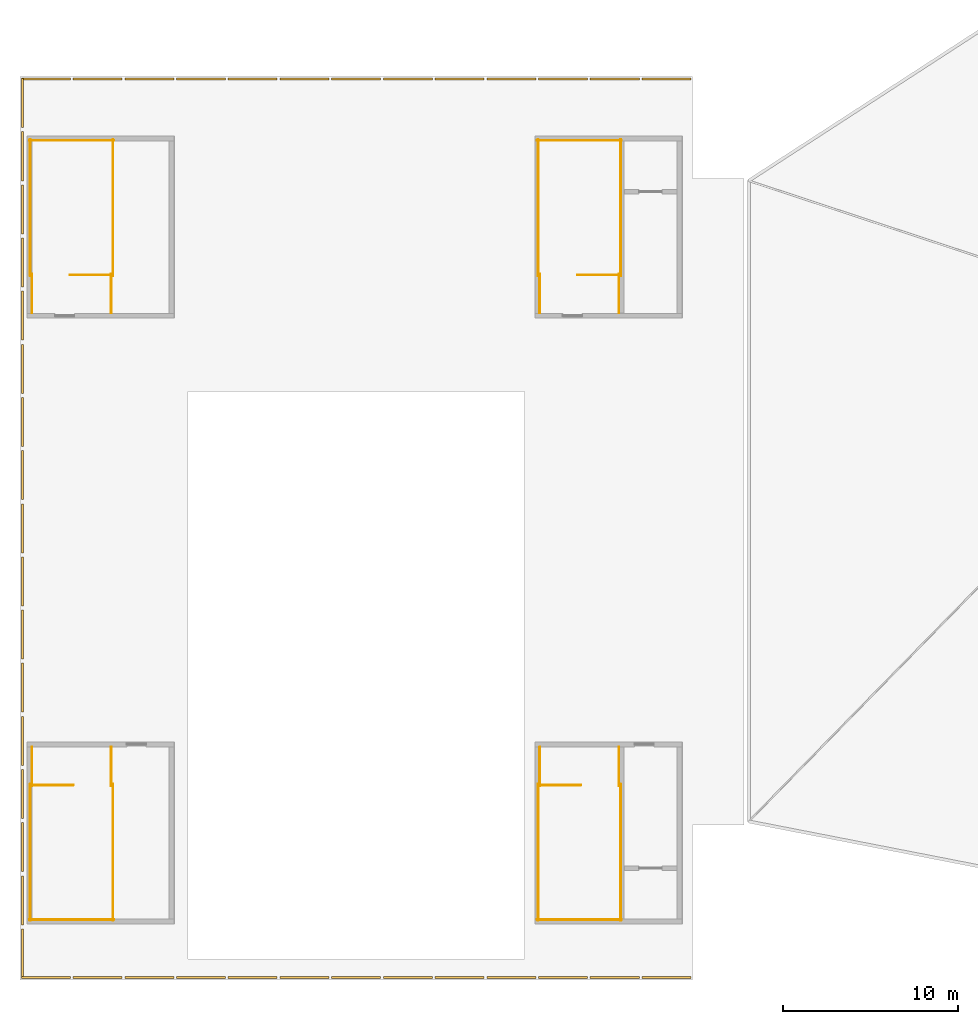
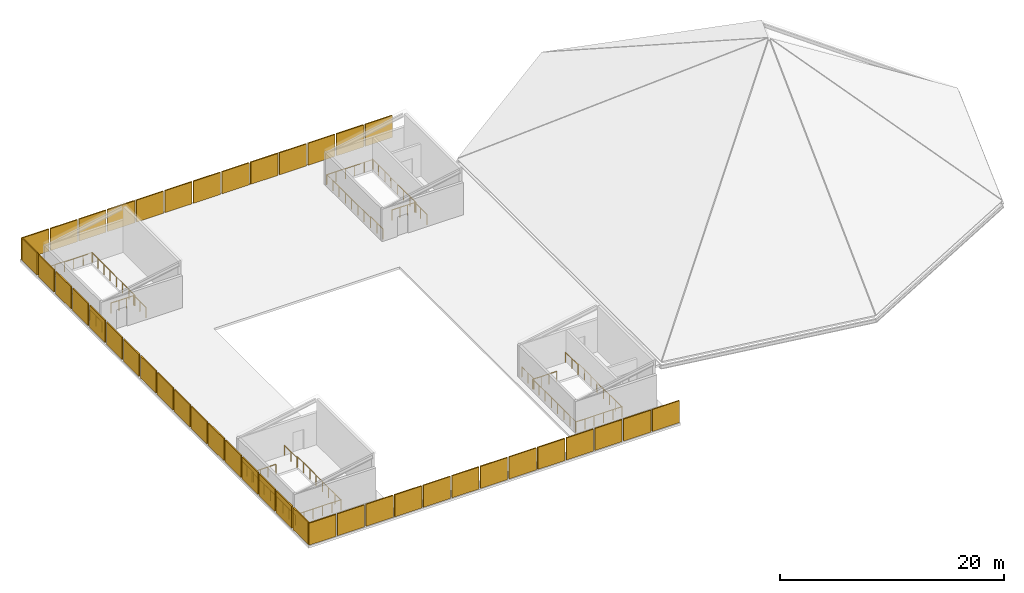
# One storey, part 3 of 3: 43 shading devices, 24 railings.
"""IFC4 building model written with IfcOpenShell, lengths in metres."""

from ifc_helpers import new_model, si_unit, direction, frame, origin, origin_2d, place, context, subcontext, project, spatial, rectangle, circle, extrude, material, layer, layer_set, type_object, element, save


model = new_model("IFC4")

# Units and contexts
model_context = context("Model", 3, precision=1e-05, world=origin(), true_north=direction((0.0, 1.0)))
body_context = subcontext(model_context, "Body", "Model", "MODEL_VIEW")
ifc_project = project(units=[si_unit("LENGTHUNIT", "METRE"), si_unit("AREAUNIT", "SQUARE_METRE"), si_unit("VOLUMEUNIT", "CUBIC_METRE"), si_unit("PLANEANGLEUNIT", "RADIAN"), si_unit("MASSUNIT", "GRAM", prefix="KILO")], contexts=[model_context])

# Site, building, storey
site_placement = place(None, origin())
site = spatial("IfcSite", under=ifc_project, at=site_placement, CompositionType="ELEMENT")
building_placement = place(site_placement, origin())
building = spatial("IfcBuilding", under=site, at=building_placement, Name="Sarnbrook Museum", CompositionType="ELEMENT")
storey_placement = place(building_placement, frame((0.0, 0.0, 32.60009765625)))
storey = spatial("IfcBuildingStorey", under=building, at=storey_placement, Name="ROOF", CompositionType="ELEMENT", Elevation=32.60009765625)

# Railings
ifc_material_1 = material(Name="Brushed Stainless Steel Grade 316", Category="steel")
ifc_layer = layer(ifc_material_1, 0.050048828125)
ifc_layer_set = layer_set([ifc_layer], Name="Brushed Stainless Steel Grade 316")
railing_type = type_object("IfcRailingType", Name="Guard_Int1120", PredefinedType="BALUSTRADE", material=ifc_layer_set)
railing_1_placement = place(storey_placement, frame((110.43994140625, 67.929931640625, 0.0)))
element("IfcRailing", 1, at=railing_1_placement, inside=storey, type_object=railing_type, Name="ROOF ST1 top well guard 1", PredefinedType="BALUSTRADE", context=body_context, shape_type="SweptSolid", body=[
    extrude(circle(Radius=0.02392578125, at=origin_2d()), frame((0.0, 0.0, 1.09619140625), z_axis=(1.0, 0.0, 0.0), x_axis=(0.0, 1.0, 0.0)), (0.0, 0.0, 1.0), 2.400146484375),
    extrude(circle(Radius=0.02099609375, at=origin_2d()), origin(), (0.0, 0.0, 1.0), 1.072021484375),
    extrude(circle(Radius=0.02099609375, at=origin_2d()), frame((0.800048828125, 0.0, 0.0)), (0.0, 0.0, 1.0), 1.072021484375),
    extrude(circle(Radius=0.02099609375, at=origin_2d()), frame((1.60009765625, 0.0, 0.0)), (0.0, 0.0, 1.0), 1.072021484375),
    extrude(circle(Radius=0.02099609375, at=origin_2d()), frame((2.400146484375, 0.0, 0.0)), (0.0, 0.0, 1.0), 1.072021484375),
])
for number, where, name in (
    (2, (110.389892578125, 67.97998046875, 0.0), "ROOF ST1 top well guard 2"),
    (3, (115.110107421875, 67.97998046875, 0.0), "ROOF ST1 top well guard 3"),
):
    element("IfcRailing", number, at=place(storey_placement, frame(where)), inside=storey, type_object=railing_type, Name=name, PredefinedType="BALUSTRADE", context=body_context, shape_type="SweptSolid", body=[
        extrude(circle(Radius=0.02392578125, at=origin_2d()), frame((0.0, 0.0, 1.09619140625), z_axis=(0.0, -1.0, 0.0), x_axis=(1.0, 0.0, 0.0)), (0.0, 0.0, 1.0), 7.780029296875),
        extrude(circle(Radius=0.02099609375, at=origin_2d()), origin(), (0.0, 0.0, 1.0), 1.072021484375),
        extrude(circle(Radius=0.02099609375, at=origin_2d()), frame((0.0, -1.111328125, 0.0)), (0.0, 0.0, 1.0), 1.072021484375),
        extrude(circle(Radius=0.02099609375, at=origin_2d()), frame((0.0, -2.222900390625, 0.0)), (0.0, 0.0, 1.0), 1.072021484375),
        extrude(circle(Radius=0.02099609375, at=origin_2d()), frame((0.0, -3.334228515625, 0.0)), (0.0, 0.0, 1.0), 1.072021484375),
        extrude(circle(Radius=0.02099609375, at=origin_2d()), frame((0.0, -4.44580078125, 0.0)), (0.0, 0.0, 1.0), 1.072021484375),
        extrude(circle(Radius=0.02099609375, at=origin_2d()), frame((0.0, -5.55712890625, 0.0)), (0.0, 0.0, 1.0), 1.072021484375),
        extrude(circle(Radius=0.02099609375, at=origin_2d()), frame((0.0, -6.668701171875, 0.0)), (0.0, 0.0, 1.0), 1.072021484375),
        extrude(circle(Radius=0.02099609375, at=origin_2d()), frame((0.0, -7.780029296875, 0.0)), (0.0, 0.0, 1.0), 1.072021484375),
    ])
railing_2_placement = place(storey_placement, frame((110.340087890625, 60.25, 0.0)))
element("IfcRailing", 4, at=railing_2_placement, inside=storey, type_object=railing_type, Name="ROOF ST1 top well guard 4", PredefinedType="BALUSTRADE", context=body_context, shape_type="SweptSolid", body=[
    extrude(circle(Radius=0.02392578125, at=origin_2d()), frame((0.0, 0.0, 1.09619140625), z_axis=(1.0, 0.0, 0.0), x_axis=(0.0, 1.0, 0.0)), (0.0, 0.0, 1.0), 4.81982421875),
    extrude(circle(Radius=0.02099609375, at=origin_2d()), origin(), (0.0, 0.0, 1.0), 1.072021484375),
    extrude(circle(Radius=0.02099609375, at=origin_2d()), frame((0.9638671875, 0.0, 0.0)), (0.0, 0.0, 1.0), 1.072021484375),
    extrude(circle(Radius=0.02099609375, at=origin_2d()), frame((1.927978515625, 0.0, 0.0)), (0.0, 0.0, 1.0), 1.072021484375),
    extrude(circle(Radius=0.02099609375, at=origin_2d()), frame((2.891845703125, 0.0, 0.0)), (0.0, 0.0, 1.0), 1.072021484375),
    extrude(circle(Radius=0.02099609375, at=origin_2d()), frame((3.85595703125, 0.0, 0.0)), (0.0, 0.0, 1.0), 1.072021484375),
    extrude(circle(Radius=0.02099609375, at=origin_2d()), frame((4.81982421875, 0.0, 0.0)), (0.0, 0.0, 1.0), 1.072021484375),
])
for number, where, name in (
    (5, (110.489990234375, 70.10009765625, 0.0), "ROOF ST1 top well guard 5"),
    (6, (115.010009765625, 70.10009765625, 0.0), "ROOF ST1 top well guard 6"),
):
    element("IfcRailing", number, at=place(storey_placement, frame(where)), inside=storey, type_object=railing_type, Name=name, PredefinedType="BALUSTRADE", context=body_context, shape_type="SweptSolid", body=[
        extrude(circle(Radius=0.02392578125, at=origin_2d()), frame((0.0, 0.0, 1.09619140625), z_axis=(0.0, -1.0, 0.0), x_axis=(1.0, 0.0, 0.0)), (0.0, 0.0, 1.0), 2.22021484375),
        extrude(circle(Radius=0.02099609375, at=origin_2d()), origin(), (0.0, 0.0, 1.0), 1.072021484375),
        extrude(circle(Radius=0.02099609375, at=origin_2d()), frame((0.0, -1.110107421875, 0.0)), (0.0, 0.0, 1.0), 1.072021484375),
        extrude(circle(Radius=0.02099609375, at=origin_2d()), frame((0.0, -2.22021484375, 0.0)), (0.0, 0.0, 1.0), 1.072021484375),
    ])
railing_3_placement = place(storey_placement, frame((115.06005859375, 97.070068359375, 0.0)))
element("IfcRailing", 7, at=railing_3_placement, inside=storey, type_object=railing_type, Name="ROOF ST2 top well guard 1", PredefinedType="BALUSTRADE", context=body_context, shape_type="SweptSolid", body=[
    extrude(circle(Radius=0.02392578125, at=origin_2d()), frame((0.0, 0.0, 1.09619140625), z_axis=(-1.0, 0.0, 0.0), x_axis=(0.0, -1.0, 0.0)), (0.0, 0.0, 1.0), 2.400146484375),
    extrude(circle(Radius=0.02099609375, at=origin_2d()), origin(), (0.0, 0.0, 1.0), 1.072021484375),
    extrude(circle(Radius=0.02099609375, at=origin_2d()), frame((-0.800048828125, 0.0, 0.0)), (0.0, 0.0, 1.0), 1.072021484375),
    extrude(circle(Radius=0.02099609375, at=origin_2d()), frame((-1.60009765625, 0.0, 0.0)), (0.0, 0.0, 1.0), 1.072021484375),
    extrude(circle(Radius=0.02099609375, at=origin_2d()), frame((-2.400146484375, 0.0, 0.0)), (0.0, 0.0, 1.0), 1.072021484375),
])
for number, where, name in (
    (8, (115.110107421875, 97.02001953125, 0.0), "ROOF ST2 top well guard 2"),
    (9, (110.389892578125, 97.02001953125, 0.0), "ROOF ST2 top well guard 3"),
):
    element("IfcRailing", number, at=place(storey_placement, frame(where)), inside=storey, type_object=railing_type, Name=name, PredefinedType="BALUSTRADE", context=body_context, shape_type="SweptSolid", body=[
        extrude(circle(Radius=0.02392578125, at=origin_2d()), frame((0.0, 0.0, 1.09619140625), z_axis=(0.0, 1.0, 0.0), x_axis=(-1.0, 0.0, 0.0)), (0.0, 0.0, 1.0), 7.780029296875),
        extrude(circle(Radius=0.02099609375, at=origin_2d()), origin(), (0.0, 0.0, 1.0), 1.072021484375),
        extrude(circle(Radius=0.02099609375, at=origin_2d()), frame((0.0, 1.111328125, 0.0)), (0.0, 0.0, 1.0), 1.072021484375),
        extrude(circle(Radius=0.02099609375, at=origin_2d()), frame((0.0, 2.222900390625, 0.0)), (0.0, 0.0, 1.0), 1.072021484375),
        extrude(circle(Radius=0.02099609375, at=origin_2d()), frame((0.0, 3.334228515625, 0.0)), (0.0, 0.0, 1.0), 1.072021484375),
        extrude(circle(Radius=0.02099609375, at=origin_2d()), frame((0.0, 4.44580078125, 0.0)), (0.0, 0.0, 1.0), 1.072021484375),
        extrude(circle(Radius=0.02099609375, at=origin_2d()), frame((0.0, 5.55712890625, 0.0)), (0.0, 0.0, 1.0), 1.072021484375),
        extrude(circle(Radius=0.02099609375, at=origin_2d()), frame((0.0, 6.668701171875, 0.0)), (0.0, 0.0, 1.0), 1.072021484375),
        extrude(circle(Radius=0.02099609375, at=origin_2d()), frame((0.0, 7.780029296875, 0.0)), (0.0, 0.0, 1.0), 1.072021484375),
    ])
railing_4_placement = place(storey_placement, frame((115.159912109375, 104.75, 0.0)))
element("IfcRailing", 10, at=railing_4_placement, inside=storey, type_object=railing_type, Name="ROOF ST2 top well guard 4", PredefinedType="BALUSTRADE", context=body_context, shape_type="SweptSolid", body=[
    extrude(circle(Radius=0.02392578125, at=origin_2d()), frame((0.0, 0.0, 1.09619140625), z_axis=(-1.0, 0.0, 0.0), x_axis=(0.0, -1.0, 0.0)), (0.0, 0.0, 1.0), 4.81982421875),
    extrude(circle(Radius=0.02099609375, at=origin_2d()), origin(), (0.0, 0.0, 1.0), 1.072021484375),
    extrude(circle(Radius=0.02099609375, at=origin_2d()), frame((-0.9638671875, 0.0, 0.0)), (0.0, 0.0, 1.0), 1.072021484375),
    extrude(circle(Radius=0.02099609375, at=origin_2d()), frame((-1.927978515625, 0.0, 0.0)), (0.0, 0.0, 1.0), 1.072021484375),
    extrude(circle(Radius=0.02099609375, at=origin_2d()), frame((-2.891845703125, 0.0, 0.0)), (0.0, 0.0, 1.0), 1.072021484375),
    extrude(circle(Radius=0.02099609375, at=origin_2d()), frame((-3.85595703125, 0.0, 0.0)), (0.0, 0.0, 1.0), 1.072021484375),
    extrude(circle(Radius=0.02099609375, at=origin_2d()), frame((-4.81982421875, 0.0, 0.0)), (0.0, 0.0, 1.0), 1.072021484375),
])
for number, where, name in (
    (11, (115.010009765625, 94.89990234375, 0.0), "ROOF ST2 top well guard 5"),
    (12, (110.489990234375, 94.89990234375, 0.0), "ROOF ST2 top well guard 6"),
):
    element("IfcRailing", number, at=place(storey_placement, frame(where)), inside=storey, type_object=railing_type, Name=name, PredefinedType="BALUSTRADE", context=body_context, shape_type="SweptSolid", body=[
        extrude(circle(Radius=0.02392578125, at=origin_2d()), frame((0.0, 0.0, 1.09619140625), z_axis=(0.0, 1.0, 0.0), x_axis=(-1.0, 0.0, 0.0)), (0.0, 0.0, 1.0), 2.22021484375),
        extrude(circle(Radius=0.02099609375, at=origin_2d()), origin(), (0.0, 0.0, 1.0), 1.072021484375),
        extrude(circle(Radius=0.02099609375, at=origin_2d()), frame((0.0, 1.110107421875, 0.0)), (0.0, 0.0, 1.0), 1.072021484375),
        extrude(circle(Radius=0.02099609375, at=origin_2d()), frame((0.0, 2.22021484375, 0.0)), (0.0, 0.0, 1.0), 1.072021484375),
    ])
railing_5_placement = place(storey_placement, frame((81.43994140625, 67.929931640625, 0.0)))
element("IfcRailing", 13, at=railing_5_placement, inside=storey, type_object=railing_type, Name="ROOF ST3 top well guard 1", PredefinedType="BALUSTRADE", context=body_context, shape_type="SweptSolid", body=[
    extrude(circle(Radius=0.02392578125, at=origin_2d()), frame((0.0, 0.0, 1.09619140625), z_axis=(1.0, 0.0, 0.0), x_axis=(0.0, 1.0, 0.0)), (0.0, 0.0, 1.0), 2.400146484375),
    extrude(circle(Radius=0.02099609375, at=origin_2d()), origin(), (0.0, 0.0, 1.0), 1.072021484375),
    extrude(circle(Radius=0.02099609375, at=origin_2d()), frame((0.800048828125, 0.0, 0.0)), (0.0, 0.0, 1.0), 1.072021484375),
    extrude(circle(Radius=0.02099609375, at=origin_2d()), frame((1.60009765625, 0.0, 0.0)), (0.0, 0.0, 1.0), 1.072021484375),
    extrude(circle(Radius=0.02099609375, at=origin_2d()), frame((2.400146484375, 0.0, 0.0)), (0.0, 0.0, 1.0), 1.072021484375),
])
for number, where, name in (
    (14, (81.389892578125, 67.97998046875, 0.0), "ROOF ST3 top well guard 2"),
    (15, (86.110107421875, 67.97998046875, 0.0), "ROOF ST3 top well guard 3"),
):
    element("IfcRailing", number, at=place(storey_placement, frame(where)), inside=storey, type_object=railing_type, Name=name, PredefinedType="BALUSTRADE", context=body_context, shape_type="SweptSolid", body=[
        extrude(circle(Radius=0.02392578125, at=origin_2d()), frame((0.0, 0.0, 1.09619140625), z_axis=(0.0, -1.0, 0.0), x_axis=(1.0, 0.0, 0.0)), (0.0, 0.0, 1.0), 7.780029296875),
        extrude(circle(Radius=0.02099609375, at=origin_2d()), origin(), (0.0, 0.0, 1.0), 1.072021484375),
        extrude(circle(Radius=0.02099609375, at=origin_2d()), frame((0.0, -1.111328125, 0.0)), (0.0, 0.0, 1.0), 1.072021484375),
        extrude(circle(Radius=0.02099609375, at=origin_2d()), frame((0.0, -2.222900390625, 0.0)), (0.0, 0.0, 1.0), 1.072021484375),
        extrude(circle(Radius=0.02099609375, at=origin_2d()), frame((0.0, -3.334228515625, 0.0)), (0.0, 0.0, 1.0), 1.072021484375),
        extrude(circle(Radius=0.02099609375, at=origin_2d()), frame((0.0, -4.44580078125, 0.0)), (0.0, 0.0, 1.0), 1.072021484375),
        extrude(circle(Radius=0.02099609375, at=origin_2d()), frame((0.0, -5.55712890625, 0.0)), (0.0, 0.0, 1.0), 1.072021484375),
        extrude(circle(Radius=0.02099609375, at=origin_2d()), frame((0.0, -6.668701171875, 0.0)), (0.0, 0.0, 1.0), 1.072021484375),
        extrude(circle(Radius=0.02099609375, at=origin_2d()), frame((0.0, -7.780029296875, 0.0)), (0.0, 0.0, 1.0), 1.072021484375),
    ])
railing_6_placement = place(storey_placement, frame((81.340087890625, 60.25, 0.0)))
element("IfcRailing", 16, at=railing_6_placement, inside=storey, type_object=railing_type, Name="ROOF ST3 top well guard 4", PredefinedType="BALUSTRADE", context=body_context, shape_type="SweptSolid", body=[
    extrude(circle(Radius=0.02392578125, at=origin_2d()), frame((0.0, 0.0, 1.09619140625), z_axis=(1.0, 0.0, 0.0), x_axis=(0.0, 1.0, 0.0)), (0.0, 0.0, 1.0), 4.81982421875),
    extrude(circle(Radius=0.02099609375, at=origin_2d()), origin(), (0.0, 0.0, 1.0), 1.072021484375),
    extrude(circle(Radius=0.02099609375, at=origin_2d()), frame((0.9638671875, 0.0, 0.0)), (0.0, 0.0, 1.0), 1.072021484375),
    extrude(circle(Radius=0.02099609375, at=origin_2d()), frame((1.927978515625, 0.0, 0.0)), (0.0, 0.0, 1.0), 1.072021484375),
    extrude(circle(Radius=0.02099609375, at=origin_2d()), frame((2.891845703125, 0.0, 0.0)), (0.0, 0.0, 1.0), 1.072021484375),
    extrude(circle(Radius=0.02099609375, at=origin_2d()), frame((3.85595703125, 0.0, 0.0)), (0.0, 0.0, 1.0), 1.072021484375),
    extrude(circle(Radius=0.02099609375, at=origin_2d()), frame((4.81982421875, 0.0, 0.0)), (0.0, 0.0, 1.0), 1.072021484375),
])
for number, where, name in (
    (17, (81.489990234375, 70.10009765625, 0.0), "ROOF ST3 top well guard 5"),
    (18, (86.010009765625, 70.10009765625, 0.0), "ROOF ST3 top well guard 6"),
):
    element("IfcRailing", number, at=place(storey_placement, frame(where)), inside=storey, type_object=railing_type, Name=name, PredefinedType="BALUSTRADE", context=body_context, shape_type="SweptSolid", body=[
        extrude(circle(Radius=0.02392578125, at=origin_2d()), frame((0.0, 0.0, 1.09619140625), z_axis=(0.0, -1.0, 0.0), x_axis=(1.0, 0.0, 0.0)), (0.0, 0.0, 1.0), 2.22021484375),
        extrude(circle(Radius=0.02099609375, at=origin_2d()), origin(), (0.0, 0.0, 1.0), 1.072021484375),
        extrude(circle(Radius=0.02099609375, at=origin_2d()), frame((0.0, -1.110107421875, 0.0)), (0.0, 0.0, 1.0), 1.072021484375),
        extrude(circle(Radius=0.02099609375, at=origin_2d()), frame((0.0, -2.22021484375, 0.0)), (0.0, 0.0, 1.0), 1.072021484375),
    ])
railing_7_placement = place(storey_placement, frame((86.06005859375, 97.070068359375, 0.0)))
element("IfcRailing", 19, at=railing_7_placement, inside=storey, type_object=railing_type, Name="ROOF ST4 top well guard 1", PredefinedType="BALUSTRADE", context=body_context, shape_type="SweptSolid", body=[
    extrude(circle(Radius=0.02392578125, at=origin_2d()), frame((0.0, 0.0, 1.09619140625), z_axis=(-1.0, 0.0, 0.0), x_axis=(0.0, -1.0, 0.0)), (0.0, 0.0, 1.0), 2.400146484375),
    extrude(circle(Radius=0.02099609375, at=origin_2d()), origin(), (0.0, 0.0, 1.0), 1.072021484375),
    extrude(circle(Radius=0.02099609375, at=origin_2d()), frame((-0.800048828125, 0.0, 0.0)), (0.0, 0.0, 1.0), 1.072021484375),
    extrude(circle(Radius=0.02099609375, at=origin_2d()), frame((-1.60009765625, 0.0, 0.0)), (0.0, 0.0, 1.0), 1.072021484375),
    extrude(circle(Radius=0.02099609375, at=origin_2d()), frame((-2.400146484375, 0.0, 0.0)), (0.0, 0.0, 1.0), 1.072021484375),
])
for number, where, name in (
    (20, (86.110107421875, 97.02001953125, 0.0), "ROOF ST4 top well guard 2"),
    (21, (81.389892578125, 97.02001953125, 0.0), "ROOF ST4 top well guard 3"),
):
    element("IfcRailing", number, at=place(storey_placement, frame(where)), inside=storey, type_object=railing_type, Name=name, PredefinedType="BALUSTRADE", context=body_context, shape_type="SweptSolid", body=[
        extrude(circle(Radius=0.02392578125, at=origin_2d()), frame((0.0, 0.0, 1.09619140625), z_axis=(0.0, 1.0, 0.0), x_axis=(-1.0, 0.0, 0.0)), (0.0, 0.0, 1.0), 7.780029296875),
        extrude(circle(Radius=0.02099609375, at=origin_2d()), origin(), (0.0, 0.0, 1.0), 1.072021484375),
        extrude(circle(Radius=0.02099609375, at=origin_2d()), frame((0.0, 1.111328125, 0.0)), (0.0, 0.0, 1.0), 1.072021484375),
        extrude(circle(Radius=0.02099609375, at=origin_2d()), frame((0.0, 2.222900390625, 0.0)), (0.0, 0.0, 1.0), 1.072021484375),
        extrude(circle(Radius=0.02099609375, at=origin_2d()), frame((0.0, 3.334228515625, 0.0)), (0.0, 0.0, 1.0), 1.072021484375),
        extrude(circle(Radius=0.02099609375, at=origin_2d()), frame((0.0, 4.44580078125, 0.0)), (0.0, 0.0, 1.0), 1.072021484375),
        extrude(circle(Radius=0.02099609375, at=origin_2d()), frame((0.0, 5.55712890625, 0.0)), (0.0, 0.0, 1.0), 1.072021484375),
        extrude(circle(Radius=0.02099609375, at=origin_2d()), frame((0.0, 6.668701171875, 0.0)), (0.0, 0.0, 1.0), 1.072021484375),
        extrude(circle(Radius=0.02099609375, at=origin_2d()), frame((0.0, 7.780029296875, 0.0)), (0.0, 0.0, 1.0), 1.072021484375),
    ])
railing_8_placement = place(storey_placement, frame((86.159912109375, 104.75, 0.0)))
element("IfcRailing", 22, at=railing_8_placement, inside=storey, type_object=railing_type, Name="ROOF ST4 top well guard 4", PredefinedType="BALUSTRADE", context=body_context, shape_type="SweptSolid", body=[
    extrude(circle(Radius=0.02392578125, at=origin_2d()), frame((0.0, 0.0, 1.09619140625), z_axis=(-1.0, 0.0, 0.0), x_axis=(0.0, -1.0, 0.0)), (0.0, 0.0, 1.0), 4.81982421875),
    extrude(circle(Radius=0.02099609375, at=origin_2d()), origin(), (0.0, 0.0, 1.0), 1.072021484375),
    extrude(circle(Radius=0.02099609375, at=origin_2d()), frame((-0.9638671875, 0.0, 0.0)), (0.0, 0.0, 1.0), 1.072021484375),
    extrude(circle(Radius=0.02099609375, at=origin_2d()), frame((-1.927978515625, 0.0, 0.0)), (0.0, 0.0, 1.0), 1.072021484375),
    extrude(circle(Radius=0.02099609375, at=origin_2d()), frame((-2.891845703125, 0.0, 0.0)), (0.0, 0.0, 1.0), 1.072021484375),
    extrude(circle(Radius=0.02099609375, at=origin_2d()), frame((-3.85595703125, 0.0, 0.0)), (0.0, 0.0, 1.0), 1.072021484375),
    extrude(circle(Radius=0.02099609375, at=origin_2d()), frame((-4.81982421875, 0.0, 0.0)), (0.0, 0.0, 1.0), 1.072021484375),
])
for number, where, name in (
    (23, (86.010009765625, 94.89990234375, 0.0), "ROOF ST4 top well guard 5"),
    (24, (81.489990234375, 94.89990234375, 0.0), "ROOF ST4 top well guard 6"),
):
    element("IfcRailing", number, at=place(storey_placement, frame(where)), inside=storey, type_object=railing_type, Name=name, PredefinedType="BALUSTRADE", context=body_context, shape_type="SweptSolid", body=[
        extrude(circle(Radius=0.02392578125, at=origin_2d()), frame((0.0, 0.0, 1.09619140625), z_axis=(0.0, 1.0, 0.0), x_axis=(-1.0, 0.0, 0.0)), (0.0, 0.0, 1.0), 2.22021484375),
        extrude(circle(Radius=0.02099609375, at=origin_2d()), origin(), (0.0, 0.0, 1.0), 1.072021484375),
        extrude(circle(Radius=0.02099609375, at=origin_2d()), frame((0.0, 1.110107421875, 0.0)), (0.0, 0.0, 1.0), 1.072021484375),
        extrude(circle(Radius=0.02099609375, at=origin_2d()), frame((0.0, 2.22021484375, 0.0)), (0.0, 0.0, 1.0), 1.072021484375),
    ])

# Shading devices
ifc_material_2 = material(Name="Thermally Broken Anodised Aluminium 6063-T6", Category="aluminium")
shading_device_type = type_object("IfcShadingDeviceType", Name="LouverScreen_Plant", PredefinedType="JALOUSIE", material=ifc_material_2)
for number, where, z_axis, x_axis, name in (
    (25, (82.27685546875, 56.93994140625, 0.0), (0.0, 0.0, 1.0), (1.0, 0.0, 0.0), "Crown Architectural Bronze Louvre Screen LV-001"),
    (26, (85.230712890625, 56.93994140625, 0.0), (0.0, 0.0, 1.0), (1.0, 0.0, 0.0), "Crown Architectural Bronze Louvre Screen LV-002"),
    (27, (88.1845703125, 56.93994140625, 0.0), (0.0, 0.0, 1.0), (1.0, 0.0, 0.0), "Crown Architectural Bronze Louvre Screen LV-003"),
    (28, (91.138427734375, 56.93994140625, 0.0), (0.0, 0.0, 1.0), (1.0, 0.0, 0.0), "Crown Architectural Bronze Louvre Screen LV-004"),
    (29, (94.09228515625, 56.93994140625, 0.0), (0.0, 0.0, 1.0), (1.0, 0.0, 0.0), "Crown Architectural Bronze Louvre Screen LV-005"),
    (30, (97.046142578125, 56.93994140625, 0.0), (0.0, 0.0, 1.0), (1.0, 0.0, 0.0), "Crown Architectural Bronze Louvre Screen LV-006"),
    (31, (100.0, 56.93994140625, 0.0), (0.0, 0.0, 1.0), (1.0, 0.0, 0.0), "Crown Architectural Bronze Louvre Screen LV-007"),
    (32, (102.953857421875, 56.93994140625, 0.0), (0.0, 0.0, 1.0), (1.0, 0.0, 0.0), "Crown Architectural Bronze Louvre Screen LV-008"),
    (33, (105.90771484375, 56.93994140625, 0.0), (0.0, 0.0, 1.0), (1.0, 0.0, 0.0), "Crown Architectural Bronze Louvre Screen LV-009"),
    (34, (108.861572265625, 56.93994140625, 0.0), (0.0, 0.0, 1.0), (1.0, 0.0, 0.0), "Crown Architectural Bronze Louvre Screen LV-010"),
    (35, (111.8154296875, 56.93994140625, 0.0), (0.0, 0.0, 1.0), (1.0, 0.0, 0.0), "Crown Architectural Bronze Louvre Screen LV-011"),
    (36, (114.769287109375, 56.93994140625, 0.0), (0.0, 0.0, 1.0), (1.0, 0.0, 0.0), "Crown Architectural Bronze Louvre Screen LV-012"),
    (37, (117.72314453125, 56.93994140625, 0.0), (0.0, 0.0, 1.0), (1.0, 0.0, 0.0), "Crown Architectural Bronze Louvre Screen LV-013"),
    (38, (117.72314453125, 108.260009765625, 0.0), (0.0, 0.0, 1.0), (-1.0, 0.0, 0.0), "Crown Architectural Bronze Louvre Screen LV-014"),
    (39, (114.769287109375, 108.260009765625, 0.0), (0.0, 0.0, 1.0), (-1.0, 0.0, 0.0), "Crown Architectural Bronze Louvre Screen LV-015"),
    (40, (111.8154296875, 108.260009765625, 0.0), (0.0, 0.0, 1.0), (-1.0, 0.0, 0.0), "Crown Architectural Bronze Louvre Screen LV-016"),
    (41, (108.861572265625, 108.260009765625, 0.0), (0.0, 0.0, 1.0), (-1.0, 0.0, 0.0), "Crown Architectural Bronze Louvre Screen LV-017"),
    (42, (105.90771484375, 108.260009765625, 0.0), (0.0, 0.0, 1.0), (-1.0, 0.0, 0.0), "Crown Architectural Bronze Louvre Screen LV-018"),
    (43, (102.953857421875, 108.260009765625, 0.0), (0.0, 0.0, 1.0), (-1.0, 0.0, 0.0), "Crown Architectural Bronze Louvre Screen LV-019"),
    (44, (100.0, 108.260009765625, 0.0), (0.0, 0.0, 1.0), (-1.0, 0.0, 0.0), "Crown Architectural Bronze Louvre Screen LV-020"),
    (45, (97.046142578125, 108.260009765625, 0.0), (0.0, 0.0, 1.0), (-1.0, 0.0, 0.0), "Crown Architectural Bronze Louvre Screen LV-021"),
    (46, (94.09228515625, 108.260009765625, 0.0), (0.0, 0.0, 1.0), (-1.0, 0.0, 0.0), "Crown Architectural Bronze Louvre Screen LV-022"),
    (47, (91.138427734375, 108.260009765625, 0.0), (0.0, 0.0, 1.0), (-1.0, 0.0, 0.0), "Crown Architectural Bronze Louvre Screen LV-023"),
    (48, (88.1845703125, 108.260009765625, 0.0), (0.0, 0.0, 1.0), (-1.0, 0.0, 0.0), "Crown Architectural Bronze Louvre Screen LV-024"),
    (49, (85.230712890625, 108.260009765625, 0.0), (0.0, 0.0, 1.0), (-1.0, 0.0, 0.0), "Crown Architectural Bronze Louvre Screen LV-025"),
    (50, (82.27685546875, 108.260009765625, 0.0), (0.0, 0.0, 1.0), (-1.0, 0.0, 0.0), "Crown Architectural Bronze Louvre Screen LV-026"),
    (51, (80.93994140625, 106.88232421875, 0.0), (0.0, 0.0, 1.0), (0.0, -1.0, 0.0), "Crown Architectural Bronze Louvre Screen LV-027"),
    (52, (80.93994140625, 103.84716796875, 0.0), (0.0, 0.0, 1.0), (0.0, -1.0, 0.0), "Crown Architectural Bronze Louvre Screen LV-028"),
    (53, (80.93994140625, 100.811767578125, 0.0), (0.0, 0.0, 1.0), (0.0, -1.0, 0.0), "Crown Architectural Bronze Louvre Screen LV-029"),
    (54, (80.93994140625, 97.776611328125, 0.0), (0.0, 0.0, 1.0), (0.0, -1.0, 0.0), "Crown Architectural Bronze Louvre Screen LV-030"),
    (55, (80.93994140625, 94.7412109375, 0.0), (0.0, 0.0, 1.0), (0.0, -1.0, 0.0), "Crown Architectural Bronze Louvre Screen LV-031"),
    (56, (80.93994140625, 91.705810546875, 0.0), (0.0, 0.0, 1.0), (0.0, -1.0, 0.0), "Crown Architectural Bronze Louvre Screen LV-032"),
    (57, (80.93994140625, 88.670654296875, 0.0), (0.0, 0.0, 1.0), (0.0, -1.0, 0.0), "Crown Architectural Bronze Louvre Screen LV-033"),
    (58, (80.93994140625, 85.63525390625, 0.0), (0.0, 0.0, 1.0), (0.0, -1.0, 0.0), "Crown Architectural Bronze Louvre Screen LV-034"),
    (59, (80.93994140625, 82.60009765625, 0.0), (0.0, 0.0, 1.0), (0.0, -1.0, 0.0), "Crown Architectural Bronze Louvre Screen LV-035"),
    (60, (80.93994140625, 79.564697265625, 0.0), (0.0, 0.0, 1.0), (0.0, -1.0, 0.0), "Crown Architectural Bronze Louvre Screen LV-036"),
    (61, (80.93994140625, 76.529296875, 0.0), (0.0, 0.0, 1.0), (0.0, -1.0, 0.0), "Crown Architectural Bronze Louvre Screen LV-037"),
    (62, (80.93994140625, 73.494140625, 0.0), (0.0, 0.0, 1.0), (0.0, -1.0, 0.0), "Crown Architectural Bronze Louvre Screen LV-038"),
    (63, (80.93994140625, 70.458740234375, 0.0), (0.0, 0.0, 1.0), (0.0, -1.0, 0.0), "Crown Architectural Bronze Louvre Screen LV-039"),
    (64, (80.93994140625, 67.423583984375, 0.0), (0.0, 0.0, 1.0), (0.0, -1.0, 0.0), "Crown Architectural Bronze Louvre Screen LV-040"),
    (65, (80.93994140625, 64.38818359375, 0.0), (0.0, 0.0, 1.0), (0.0, -1.0, 0.0), "Crown Architectural Bronze Louvre Screen LV-041"),
    (66, (80.93994140625, 61.352783203125, 0.0), (0.0, 0.0, 1.0), (0.0, -1.0, 0.0), "Crown Architectural Bronze Louvre Screen LV-042"),
    (67, (80.93994140625, 58.317626953125, 0.0), (0.0, 0.0, 1.0), (0.0, -1.0, 0.0), "Crown Architectural Bronze Louvre Screen LV-043"),
):
    element("IfcShadingDevice", number, at=place(storey_placement, frame(where, z_axis=z_axis, x_axis=x_axis)), inside=storey, type_object=shading_device_type, Name=name, PredefinedType="JALOUSIE", context=body_context, shape_type="SweptSolid", body=[
        extrude(rectangle(XDim=2.800048828125, YDim=0.1201171875, at=origin_2d()), origin(), (0.0, 0.0, 1.0), 2.39990234375),
    ])

save(model, "model.ifc")
